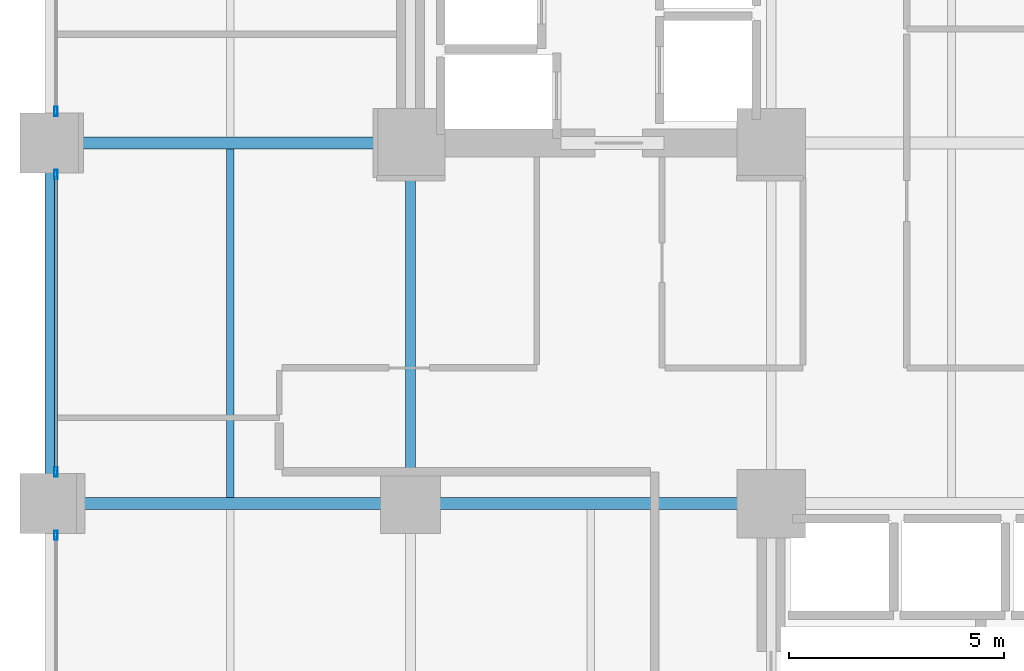
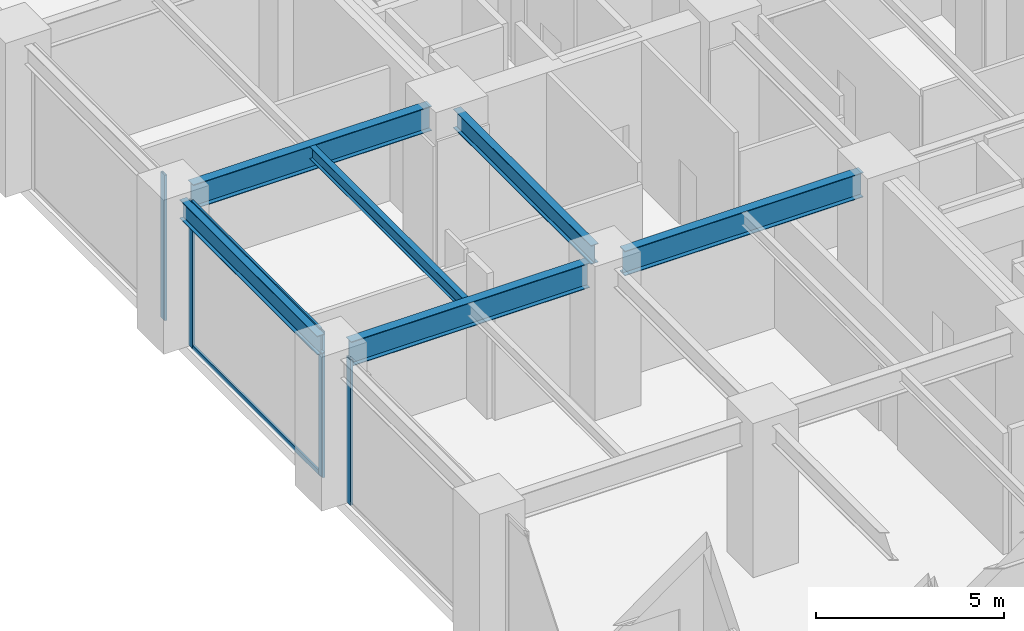
# One storey, part 4 of 21: 6 beams, 6 members, 3 elements without a shape of their own.
"""IFC4 building model written with IfcOpenShell, lengths in metres."""

from ifc_helpers import new_model, si_unit, direction, frame, origin, origin_2d, place, context, subcontext, project, spatial, hollow_rectangle, i_section, extrude, material, layer, layer_set, material_profile, profile_set, type_object, element, aggregate, save


model = new_model("IFC4")

# Units and contexts
model_context = context("Model", 3, precision=1e-05, world=origin(), true_north=direction((0.0, 1.0)))
body_context = subcontext(model_context, "Body", "Model", "MODEL_VIEW")
ifc_project = project(units=[si_unit("LENGTHUNIT", "METRE"), si_unit("AREAUNIT", "SQUARE_METRE"), si_unit("VOLUMEUNIT", "CUBIC_METRE"), si_unit("PLANEANGLEUNIT", "RADIAN"), si_unit("MASSUNIT", "GRAM", prefix="KILO")], contexts=[model_context])

# Site, building, storey
site_placement = place(None, origin())
site = spatial("IfcSite", under=ifc_project, at=site_placement, CompositionType="ELEMENT")
building_placement = place(site_placement, origin())
building = spatial("IfcBuilding", under=site, at=building_placement, Name="Nerrivon Quay Data Exchange", CompositionType="ELEMENT")
storey_placement = place(building_placement, frame((0.0, 0.0, 19.800048828125)))
storey = spatial("IfcBuildingStorey", under=building, at=storey_placement, Name="L04", CompositionType="ELEMENT", Elevation=19.800048828125)

# Beams
ifc_material_1 = material(Name="Steel Grade 350", Category="steel")
ifc_material_profile_1 = material_profile(ifc_material_1, i_section(OverallWidth=0.22900390625, OverallDepth=0.612060546875, WebThickness=0.011962890625, FlangeThickness=0.01953125, FilletRadius=0.013916015625, at=origin_2d()), Name="610UB125")
ifc_profile_set_1 = profile_set([ifc_material_profile_1], Name="Steel Grade 350")
beam_type_1 = type_object("IfcBeamType", Name="BM-G1-610UB125", PredefinedType="BEAM", material=ifc_profile_set_1)
for number, where, z_axis, x_axis, name in (
    (1, (0.0, 17.340087890625, 4.4189453125), (0.0, 1.0, 0.0), (-1.0, 0.0, 0.0), "L04 NS Girder X=0.0 (16.8..25.2)"),
    (2, (8.39990234375, 17.340087890625, 4.4189453125), (0.0, 1.0, 0.0), (-1.0, 0.0, 0.0), "L04 NS Girder X=8.4 (16.8..25.2)"),
):
    element("IfcBeam", number, at=place(storey_placement, frame(where, z_axis=z_axis, x_axis=x_axis)), inside=storey, type_object=beam_type_1, Name=name, PredefinedType="BEAM", context=body_context, shape_type="SweptSolid", body=[
        extrude(i_section(OverallWidth=0.22900390625, OverallDepth=0.612060546875, WebThickness=0.011962890625, FlangeThickness=0.01953125, FilletRadius=0.013916015625, at=origin_2d()), origin(), (0.0, 0.0, 1.0), 7.31982421875),
    ])
ifc_material_profile_2 = material_profile(ifc_material_1, i_section(OverallWidth=0.27490234375, OverallDepth=0.800048828125, WebThickness=0.010009765625, FlangeThickness=0.02001953125, at=origin_2d()), Name="800WB146")
ifc_profile_set_2 = profile_set([ifc_material_profile_2], Name="Steel Grade 350")
beam_type_2 = type_object("IfcBeamType", Name="BM-G8-800WB146", PredefinedType="BEAM", material=ifc_profile_set_2)
for number, where, z_axis, x_axis, name in (
    (3, (0.5400390625, 16.800048828125, 4.324951171875), (1.0, 0.0, 0.0), (0.0, 1.0, 0.0), "L04 EW Girder Y=16.8 (0.0..8.4)"),
    (4, (8.93994140625, 16.800048828125, 4.324951171875), (1.0, 0.0, 0.0), (0.0, 1.0, 0.0), "L04 EW Girder Y=16.8 (8.4..16.8)"),
    (5, (0.5400390625, 25.199951171875, 4.324951171875), (1.0, 0.0, 0.0), (0.0, 1.0, 0.0), "L04 EW Girder Y=25.2 (0.0..8.4)"),
):
    element("IfcBeam", number, at=place(storey_placement, frame(where, z_axis=z_axis, x_axis=x_axis)), inside=storey, type_object=beam_type_2, Name=name, PredefinedType="BEAM", context=body_context, shape_type="SweptSolid", body=[
        extrude(i_section(OverallWidth=0.27490234375, OverallDepth=0.800048828125, WebThickness=0.010009765625, FlangeThickness=0.02001953125, at=origin_2d()), origin(), (0.0, 0.0, 1.0), 7.320068359375),
    ])
ifc_material_profile_3 = material_profile(ifc_material_1, i_section(OverallWidth=0.177978515625, OverallDepth=0.403076171875, WebThickness=0.007568359375, FlangeThickness=0.010986328125, FilletRadius=0.011474609375, at=origin_2d()), Name="410UB53.7")
ifc_profile_set_3 = profile_set([ifc_material_profile_3], Name="Steel Grade 350")
beam_type_3 = type_object("IfcBeamType", Name="BM-J2-410UB54", PredefinedType="JOIST", material=ifc_profile_set_3)
beam_placement = place(storey_placement, frame((4.199951171875, 16.9375, 4.5234375), z_axis=(0.0, 1.0, 0.0), x_axis=(-1.0, 0.0, 0.0)))
element("IfcBeam", 6, at=beam_placement, inside=storey, type_object=beam_type_3, Name="L04 Secondary Joist X=4.2 (16.8..25.2)", PredefinedType="JOIST", context=body_context, shape_type="SweptSolid", body=[
    extrude(i_section(OverallWidth=0.177978515625, OverallDepth=0.403076171875, WebThickness=0.007568359375, FlangeThickness=0.010986328125, FilletRadius=0.011474609375, at=origin_2d()), origin(), (0.0, 0.0, 1.0), 8.125),
])

# Curtain wall, member
ifc_material_2 = material(Name="Anodised aluminium 6063-T6", Category="aluminium")
ifc_layer = layer(ifc_material_2, 0.239990234375)
ifc_layer_set = layer_set([ifc_layer], Name="Anodised aluminium 6063-T6")
curtain_wall_type = type_object("IfcCurtainWallType", Name="CW-SYS-03", PredefinedType="NOTDEFINED", material=ifc_layer_set)
curtain_wall_1_placement = place(storey_placement, origin())
curtain_wall_1 = element("IfcCurtainWall", 7, at=curtain_wall_1_placement, inside=storey, type_object=curtain_wall_type, Name="L04 Unitised Curtain Wall 14", PredefinedType="NOTDEFINED")
ifc_material_profile_4 = material_profile(ifc_material_2, hollow_rectangle(XDim=0.074951171875, YDim=0.219970703125, WallThickness=0.00390625, at=origin_2d()), Name="ALU-MULL-220x75")
ifc_profile_set_4 = profile_set([ifc_material_profile_4], Name="Anodised aluminium 6063-T6")
member_type_1 = type_object("IfcMemberType", Name="CWM-220x75", PredefinedType="MULLION", material=ifc_profile_set_4)
member_1_placement = place(storey_placement, frame((0.139892578125, 16.0625, 0.0), z_axis=(0.0, 0.0, 1.0), x_axis=(-1.0, 0.0, 0.0)))
member_1 = element("IfcMember", 8, at=member_1_placement, type_object=member_type_1, Name="CW03 mullion 2", PredefinedType="MULLION", context=body_context, shape_type="SweptSolid", body=[
    extrude(hollow_rectangle(XDim=0.074951171875, YDim=0.219970703125, WallThickness=0.00390625, at=origin_2d()), origin(), (0.0, 0.0, 1.0), 4.724853515625),
])
aggregate(curtain_wall_1, [member_1])

# Curtain wall, members
curtain_wall_2_placement = place(storey_placement, origin())
curtain_wall_2 = element("IfcCurtainWall", 9, at=curtain_wall_2_placement, inside=storey, type_object=curtain_wall_type, Name="L04 Unitised Curtain Wall 15", PredefinedType="NOTDEFINED")
member_2_placement = place(storey_placement, frame((0.139892578125, 17.53759765625, 0.0), z_axis=(0.0, 0.0, 1.0), x_axis=(-1.0, 0.0, 0.0)))
member_2 = element("IfcMember", 10, at=member_2_placement, type_object=member_type_1, Name="CW03 mullion 1", PredefinedType="MULLION", context=body_context, shape_type="SweptSolid", body=[
    extrude(hollow_rectangle(XDim=0.074951171875, YDim=0.219970703125, WallThickness=0.00390625, at=origin_2d()), origin(), (0.0, 0.0, 1.0), 4.724853515625),
])
member_3_placement = place(storey_placement, frame((0.139892578125, 24.46240234375, 0.0), z_axis=(0.0, 0.0, 1.0), x_axis=(-1.0, 0.0, 0.0)))
member_3 = element("IfcMember", 11, at=member_3_placement, type_object=member_type_1, Name="CW03 mullion 2", PredefinedType="MULLION", context=body_context, shape_type="SweptSolid", body=[
    extrude(hollow_rectangle(XDim=0.074951171875, YDim=0.219970703125, WallThickness=0.00390625, at=origin_2d()), origin(), (0.0, 0.0, 1.0), 4.724853515625),
])

# Curtain wall, member
curtain_wall_3_placement = place(storey_placement, origin())
curtain_wall_3 = element("IfcCurtainWall", 12, at=curtain_wall_3_placement, inside=storey, type_object=curtain_wall_type, Name="L04 Unitised Curtain Wall 16", PredefinedType="NOTDEFINED")
member_4_placement = place(storey_placement, frame((0.139892578125, 25.9375, 0.0), z_axis=(0.0, 0.0, 1.0), x_axis=(-1.0, 0.0, 0.0)))
member_4 = element("IfcMember", 13, at=member_4_placement, type_object=member_type_1, Name="CW03 mullion 1", PredefinedType="MULLION", context=body_context, shape_type="SweptSolid", body=[
    extrude(hollow_rectangle(XDim=0.074951171875, YDim=0.219970703125, WallThickness=0.00390625, at=origin_2d()), origin(), (0.0, 0.0, 1.0), 4.724853515625),
])
aggregate(curtain_wall_3, [member_4])

# Member
ifc_material_profile_5 = material_profile(ifc_material_2, hollow_rectangle(XDim=0.06494140625, YDim=0.14990234375, WallThickness=0.00341796875, at=origin_2d()), Name="ALU-TRAN-150x65")
ifc_profile_set_5 = profile_set([ifc_material_profile_5], Name="Anodised aluminium 6063-T6")
member_type_2 = type_object("IfcMemberType", Name="CWT-150x65", PredefinedType="USERDEFINED", material=ifc_profile_set_5)
member_5_placement = place(storey_placement, frame((0.139892578125, 17.574951171875, 0.032470703125), z_axis=(0.0, 1.0, 0.0), x_axis=(-1.0, 0.0, 0.0)))
member_5 = element("IfcMember", 14, at=member_5_placement, type_object=member_type_2, Name="CW03 transom 1.1", ObjectType="TRANSOM", PredefinedType="USERDEFINED", context=body_context, shape_type="SweptSolid", body=[
    extrude(hollow_rectangle(XDim=0.06494140625, YDim=0.14990234375, WallThickness=0.00341796875, at=origin_2d()), origin(), (0.0, 0.0, 1.0), 6.85009765625),
])

member_6_placement = place(storey_placement, frame((0.139892578125, 17.574951171875, 4.6923828125), z_axis=(0.0, 1.0, 0.0), x_axis=(-1.0, 0.0, 0.0)))
member_6 = element("IfcMember", 15, at=member_6_placement, type_object=member_type_2, Name="CW03 transom 1.2", ObjectType="TRANSOM", PredefinedType="USERDEFINED", context=body_context, shape_type="SweptSolid", body=[
    extrude(hollow_rectangle(XDim=0.06494140625, YDim=0.14990234375, WallThickness=0.00341796875, at=origin_2d()), origin(), (0.0, 0.0, 1.0), 6.85009765625),
])

aggregate(curtain_wall_2, [member_2, member_3, member_5, member_6])

save(model, "model.ifc")
